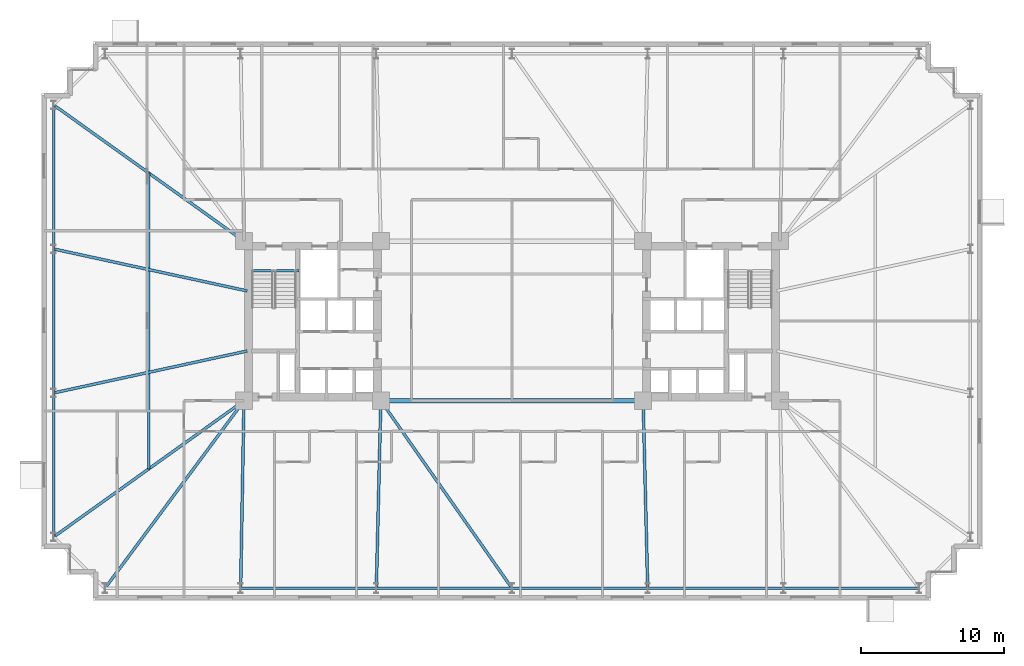
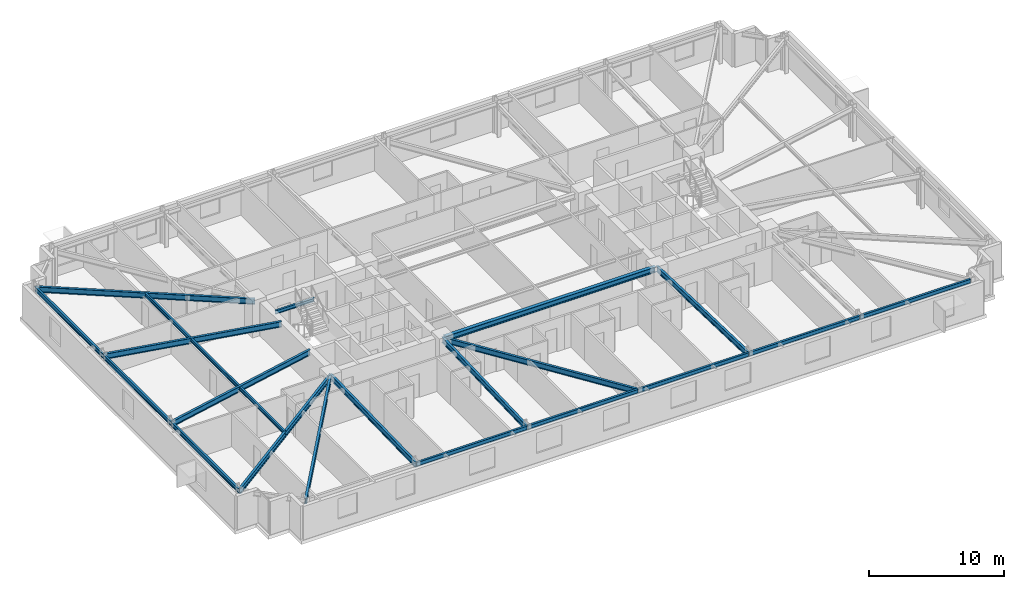
# One storey, part 5 of 20: 20 beams.
"""IFC4 building model written with IfcOpenShell, lengths in metres."""

from ifc_helpers import new_model, si_unit, direction, frame, origin, origin_2d, place, context, subcontext, project, spatial, i_section, extrude, material, material_profile, profile_set, type_object, element, save


model = new_model("IFC4")

# Units and contexts
model_context = context("Model", 3, precision=1e-05, world=origin(), true_north=direction((0.0, 1.0)))
body_context = subcontext(model_context, "Body", "Model", "MODEL_VIEW")
ifc_project = project(units=[si_unit("LENGTHUNIT", "METRE"), si_unit("AREAUNIT", "SQUARE_METRE"), si_unit("VOLUMEUNIT", "CUBIC_METRE"), si_unit("PLANEANGLEUNIT", "RADIAN"), si_unit("MASSUNIT", "GRAM", prefix="KILO")], contexts=[model_context])

# Site, building, storey
site_placement = place(None, origin())
site = spatial("IfcSite", under=ifc_project, at=site_placement, CompositionType="ELEMENT")
building_placement = place(site_placement, origin())
building = spatial("IfcBuilding", under=site, at=building_placement, Name="Qobustan Lattice House", CompositionType="ELEMENT")
storey_placement = place(building_placement, frame((0.0, 0.0, 63.85009765625)))
storey = spatial("IfcBuildingStorey", under=building, at=storey_placement, Name="L17", CompositionType="ELEMENT", Elevation=63.85009765625)

# Beams
ifc_material_1 = material(Name="Steel S355", Category="steel")
ifc_material_profile_1 = material_profile(ifc_material_1, i_section(OverallWidth=0.300048828125, OverallDepth=0.5, WebThickness=0.014404296875, FlangeThickness=0.028076171875, FilletRadius=0.027099609375, at=origin_2d()), Name="HEB500")
ifc_profile_set_1 = profile_set([ifc_material_profile_1], Name="Steel S355")
beam_type_1 = type_object("IfcBeamType", Name="BM-CG-HEB500", PredefinedType="USERDEFINED", material=ifc_profile_set_1)
beam_1_placement = place(storey_placement, frame((-9.050048828125, -5.60009765625, 2.784912109375), z_axis=(1.0, 0.0, 0.0), x_axis=(0.0, 1.0, 0.0)))
element("IfcBeam", 1, at=beam_1_placement, inside=storey, type_object=beam_type_1, Name="L17 core spine girder CG-CS", ObjectType="GIRDER", PredefinedType="USERDEFINED", context=body_context, shape_type="SweptSolid", body=[
    extrude(i_section(OverallWidth=0.300048828125, OverallDepth=0.5, WebThickness=0.014404296875, FlangeThickness=0.028076171875, FilletRadius=0.027099609375, at=origin_2d()), origin(), (0.0, 0.0, 1.0), 18.10009765625),
])
ifc_material_2 = material(Name="Steel S355", Category="steel")
ifc_material_profile_2 = material_profile(ifc_material_2, i_section(OverallWidth=0.199951171875, OverallDepth=0.5, WebThickness=0.01025390625, FlangeThickness=0.01611328125, FilletRadius=0.02099609375, at=origin_2d()), Name="IPE500")
ifc_profile_set_2 = profile_set([ifc_material_profile_2], Name="Steel S355")
beam_type_2 = type_object("IfcBeamType", Name="BM-FLG-IPE500", PredefinedType="USERDEFINED", material=ifc_profile_set_2)
beam_2_placement = place(storey_placement, frame((-28.53515625, -18.72998046875, 2.784912109375), z_axis=(0.5955916815, 0.803287338956, 0.0), x_axis=(-0.803287338956, 0.5955916815, 0.0)))
element("IfcBeam", 2, at=beam_2_placement, inside=storey, type_object=beam_type_2, Name="L17 primary floor girder RAD-S1W", ObjectType="GIRDER", PredefinedType="USERDEFINED", context=body_context, shape_type="SweptSolid", body=[
    extrude(i_section(OverallWidth=0.199951171875, OverallDepth=0.5, WebThickness=0.01025390625, FlangeThickness=0.01611328125, FilletRadius=0.02099609375, at=origin_2d()), origin(), (0.0, 0.0, 1.0), 16.3203125),
])
beam_3_placement = place(storey_placement, frame((-19.032958984375, -18.72509765625, 2.784912109375), z_axis=(0.017757831607, 0.999842317276, 0.0), x_axis=(-0.999842317276, 0.017757831607, 0.0)))
element("IfcBeam", 3, at=beam_3_placement, inside=storey, type_object=beam_type_2, Name="L17 primary floor girder RAD-S2", ObjectType="GIRDER", PredefinedType="USERDEFINED", context=body_context, shape_type="SweptSolid", body=[
    extrude(i_section(OverallWidth=0.199951171875, OverallDepth=0.5, WebThickness=0.01025390625, FlangeThickness=0.01611328125, FilletRadius=0.02099609375, at=origin_2d()), origin(), (0.0, 0.0, 1.0), 13.10205078125),
])
beam_4_placement = place(storey_placement, frame((-9.51611328125, -18.72509765625, 2.784912109375), z_axis=(0.024071445657, 0.999710240772, 0.0), x_axis=(-0.999710240772, 0.024071445657, 0.0)))
element("IfcBeam", 4, at=beam_4_placement, inside=storey, type_object=beam_type_2, Name="L17 primary floor girder RAD-S3", ObjectType="GIRDER", PredefinedType="USERDEFINED", context=body_context, shape_type="SweptSolid", body=[
    extrude(i_section(OverallWidth=0.199951171875, OverallDepth=0.5, WebThickness=0.01025390625, FlangeThickness=0.01611328125, FilletRadius=0.02099609375, at=origin_2d()), origin(), (0.0, 0.0, 1.0), 13.10400390625),
])
beam_5_placement = place(storey_placement, frame((-0.014404296875, -18.7294921875, 2.784912109375), z_axis=(-0.57325954206, 0.819373844736, 0.0), x_axis=(-0.819373844736, -0.57325954206, 0.0)))
element("IfcBeam", 5, at=beam_5_placement, inside=storey, type_object=beam_type_2, Name="L17 primary floor girder RAD-S4", ObjectType="GIRDER", PredefinedType="USERDEFINED", context=body_context, shape_type="SweptSolid", body=[
    extrude(i_section(OverallWidth=0.199951171875, OverallDepth=0.5, WebThickness=0.01025390625, FlangeThickness=0.01611328125, FilletRadius=0.02099609375, at=origin_2d()), origin(), (0.0, 0.0, 1.0), 15.998779296875),
])
beam_6_placement = place(storey_placement, frame((9.51611328125, -18.72509765625, 2.784912109375), z_axis=(-0.024071445657, 0.999710240772, 0.0), x_axis=(-0.999710240772, -0.024071445657, 0.0)))
element("IfcBeam", 6, at=beam_6_placement, inside=storey, type_object=beam_type_2, Name="L17 primary floor girder RAD-S5", ObjectType="GIRDER", PredefinedType="USERDEFINED", context=body_context, shape_type="SweptSolid", body=[
    extrude(i_section(OverallWidth=0.199951171875, OverallDepth=0.5, WebThickness=0.01025390625, FlangeThickness=0.01611328125, FilletRadius=0.02099609375, at=origin_2d()), origin(), (0.0, 0.0, 1.0), 13.10400390625),
])
beam_7_placement = place(storey_placement, frame((-32.129638671875, 15.135498046875, 2.784912109375), z_axis=(0.813318954893, -0.581818079481, 0.0), x_axis=(0.581818079481, 0.813318954893, 0.0)))
element("IfcBeam", 7, at=beam_7_placement, inside=storey, type_object=beam_type_2, Name="L17 primary floor girder RAD-W1", ObjectType="GIRDER", PredefinedType="USERDEFINED", context=body_context, shape_type="SweptSolid", body=[
    extrude(i_section(OverallWidth=0.199951171875, OverallDepth=0.5, WebThickness=0.01025390625, FlangeThickness=0.01611328125, FilletRadius=0.02099609375, at=origin_2d()), origin(), (0.0, 0.0, 1.0), 16.3642578125),
])
for number, where, z_axis, x_axis, name in (
    (8, (-32.12548828125, 5.044677734375, 2.784912109375), (0.97727240275, -0.211987383643, 0.0), (0.211987383643, 0.97727240275, 0.0), "L17 primary floor girder RAD-W2"),
    (9, (-32.12548828125, -5.044677734375, 2.784912109375), (0.97727240275, 0.211987383643, 0.0), (-0.211987383643, 0.97727240275, 0.0), "L17 primary floor girder RAD-W3"),
):
    element("IfcBeam", number, at=place(storey_placement, frame(where, z_axis=z_axis, x_axis=x_axis)), inside=storey, type_object=beam_type_2, Name=name, ObjectType="GIRDER", PredefinedType="USERDEFINED", context=body_context, shape_type="SweptSolid", body=[
        extrude(i_section(OverallWidth=0.199951171875, OverallDepth=0.5, WebThickness=0.01025390625, FlangeThickness=0.01611328125, FilletRadius=0.02099609375, at=origin_2d()), origin(), (0.0, 0.0, 1.0), 13.8662109375),
    ])
beam_8_placement = place(storey_placement, frame((-32.129638671875, -15.135498046875, 2.784912109375), z_axis=(0.813318954893, 0.581818079481, 0.0), x_axis=(-0.581818079481, 0.813318954893, 0.0)))
element("IfcBeam", 10, at=beam_8_placement, inside=storey, type_object=beam_type_2, Name="L17 primary floor girder RAD-W4", ObjectType="GIRDER", PredefinedType="USERDEFINED", context=body_context, shape_type="SweptSolid", body=[
    extrude(i_section(OverallWidth=0.199951171875, OverallDepth=0.5, WebThickness=0.01025390625, FlangeThickness=0.01611328125, FilletRadius=0.02099609375, at=origin_2d()), origin(), (0.0, 0.0, 1.0), 16.3642578125),
])
ifc_material_3 = material(Name="Steel S355", Category="steel")
ifc_material_profile_3 = material_profile(ifc_material_3, i_section(OverallWidth=0.159912109375, OverallDepth=0.330078125, WebThickness=0.007568359375, FlangeThickness=0.011474609375, FilletRadius=0.01806640625, at=origin_2d()), Name="IPE330")
ifc_profile_set_3 = profile_set([ifc_material_profile_3], Name="Steel S355")
beam_type_3 = type_object("IfcBeamType", Name="BM-SEC-IPE330", PredefinedType="BEAM", material=ifc_profile_set_3)
beam_9_placement = place(storey_placement, frame((-25.47509765625, 10.375, 2.869873046875), z_axis=(0.0, -1.0, 0.0), x_axis=(1.0, 0.0, 0.0)))
element("IfcBeam", 11, at=beam_9_placement, inside=storey, type_object=beam_type_3, Name="L17 west wing secondary beam", PredefinedType="BEAM", context=body_context, shape_type="SweptSolid", body=[
    extrude(i_section(OverallWidth=0.159912109375, OverallDepth=0.330078125, WebThickness=0.007568359375, FlangeThickness=0.011474609375, FilletRadius=0.01806640625, at=origin_2d()), origin(), (0.0, 0.0, 1.0), 20.75),
])
ifc_material_4 = material(Name="Steel S355", Category="steel")
ifc_material_profile_4 = material_profile(ifc_material_4, i_section(OverallWidth=0.159912109375, OverallDepth=0.330078125, WebThickness=0.007568359375, FlangeThickness=0.011474609375, FilletRadius=0.01806640625, at=origin_2d()), Name="IPE330")
ifc_profile_set_4 = profile_set([ifc_material_profile_4], Name="Steel S355")
beam_type_4 = type_object("IfcBeamType", Name="BM-SPD-IPE330", PredefinedType="SPANDREL", material=ifc_profile_set_4)
beam_10_placement = place(storey_placement, frame((-18.300048828125, 3.52001953125, 2.869873046875), z_axis=(1.0, 0.0, 0.0), x_axis=(0.0, 1.0, 0.0)))
element("IfcBeam", 12, at=beam_10_placement, inside=storey, type_object=beam_type_4, Name="L17 west stair landing trimmer beam", PredefinedType="SPANDREL", context=body_context, shape_type="SweptSolid", body=[
    extrude(i_section(OverallWidth=0.159912109375, OverallDepth=0.330078125, WebThickness=0.007568359375, FlangeThickness=0.011474609375, FilletRadius=0.01806640625, at=origin_2d()), origin(), (0.0, 0.0, 1.0), 3.35009765625),
])
ifc_material_5 = material(Name="Steel S355", Category="steel")
ifc_material_profile_5 = material_profile(ifc_material_5, i_section(OverallWidth=0.179931640625, OverallDepth=0.39990234375, WebThickness=0.008544921875, FlangeThickness=0.013427734375, FilletRadius=0.02099609375, at=origin_2d()), Name="IPE400")
ifc_profile_set_5 = profile_set([ifc_material_profile_5], Name="Steel S355")
beam_type_5 = type_object("IfcBeamType", Name="BM-SPD-IPE400", PredefinedType="SPANDREL", material=ifc_profile_set_5)
beam_11_placement = place(storey_placement, frame((-19.00830078125, -18.75, 2.8349609375), z_axis=(1.0, 0.0, 0.0), x_axis=(0.0, 1.0, 0.0)))
element("IfcBeam", 13, at=beam_11_placement, inside=storey, type_object=beam_type_5, Name="L17 perimeter spandrel S2-S3", PredefinedType="SPANDREL", context=body_context, shape_type="SweptSolid", body=[
    extrude(i_section(OverallWidth=0.179931640625, OverallDepth=0.39990234375, WebThickness=0.008544921875, FlangeThickness=0.013427734375, FilletRadius=0.02099609375, at=origin_2d()), origin(), (0.0, 0.0, 1.0), 9.466552734375),
])
for number, where, z_axis, x_axis, name in (
    (14, (-9.49169921875, -18.75, 2.8349609375), (1.0, 0.0, 0.0), (0.0, 1.0, 0.0), "L17 perimeter spandrel S3-S4"),
    (15, (0.02490234375, -18.75, 2.8349609375), (1.0, 0.0, 0.0), (0.0, 1.0, 0.0), "L17 perimeter spandrel S4-S5"),
):
    element("IfcBeam", number, at=place(storey_placement, frame(where, z_axis=z_axis, x_axis=x_axis)), inside=storey, type_object=beam_type_5, Name=name, PredefinedType="SPANDREL", context=body_context, shape_type="SweptSolid", body=[
        extrude(i_section(OverallWidth=0.179931640625, OverallDepth=0.39990234375, WebThickness=0.008544921875, FlangeThickness=0.013427734375, FilletRadius=0.02099609375, at=origin_2d()), origin(), (0.0, 0.0, 1.0), 9.466796875),
    ])
for number, where, z_axis, x_axis, name in (
    (16, (9.541748046875, -18.75, 2.8349609375), (1.0, 0.0, 0.0), (0.0, 1.0, 0.0), "L17 perimeter spandrel S5-S6"),
    (17, (19.058349609375, -18.75, 2.8349609375), (1.0, 0.0, 0.0), (0.0, 1.0, 0.0), "L17 perimeter spandrel S6-S7"),
):
    element("IfcBeam", number, at=place(storey_placement, frame(where, z_axis=z_axis, x_axis=x_axis)), inside=storey, type_object=beam_type_5, Name=name, PredefinedType="SPANDREL", context=body_context, shape_type="SweptSolid", body=[
        extrude(i_section(OverallWidth=0.179931640625, OverallDepth=0.39990234375, WebThickness=0.008544921875, FlangeThickness=0.013427734375, FilletRadius=0.02099609375, at=origin_2d()), origin(), (0.0, 0.0, 1.0), 9.466552734375),
    ])
beam_12_placement = place(storey_placement, frame((-32.14990234375, 15.125, 2.8349609375), z_axis=(0.0, -1.0, 0.0), x_axis=(1.0, 0.0, 0.0)))
element("IfcBeam", 18, at=beam_12_placement, inside=storey, type_object=beam_type_5, Name="L17 perimeter spandrel W1-W2", PredefinedType="SPANDREL", context=body_context, shape_type="SweptSolid", body=[
    extrude(i_section(OverallWidth=0.179931640625, OverallDepth=0.39990234375, WebThickness=0.008544921875, FlangeThickness=0.013427734375, FilletRadius=0.02099609375, at=origin_2d()), origin(), (0.0, 0.0, 1.0), 10.050048828125),
])
beam_13_placement = place(storey_placement, frame((-32.14990234375, 5.02490234375, 2.8349609375), z_axis=(0.0, -1.0, 0.0), x_axis=(1.0, 0.0, 0.0)))
element("IfcBeam", 19, at=beam_13_placement, inside=storey, type_object=beam_type_5, Name="L17 perimeter spandrel W2-W3", PredefinedType="SPANDREL", context=body_context, shape_type="SweptSolid", body=[
    extrude(i_section(OverallWidth=0.179931640625, OverallDepth=0.39990234375, WebThickness=0.008544921875, FlangeThickness=0.013427734375, FilletRadius=0.02099609375, at=origin_2d()), origin(), (0.0, 0.0, 1.0), 10.0498046875),
])
beam_14_placement = place(storey_placement, frame((-32.14990234375, -5.074951171875, 2.8349609375), z_axis=(0.0, -1.0, 0.0), x_axis=(1.0, 0.0, 0.0)))
element("IfcBeam", 20, at=beam_14_placement, inside=storey, type_object=beam_type_5, Name="L17 perimeter spandrel W3-W4", PredefinedType="SPANDREL", context=body_context, shape_type="SweptSolid", body=[
    extrude(i_section(OverallWidth=0.179931640625, OverallDepth=0.39990234375, WebThickness=0.008544921875, FlangeThickness=0.013427734375, FilletRadius=0.02099609375, at=origin_2d()), origin(), (0.0, 0.0, 1.0), 10.050048828125),
])

save(model, "model.ifc")
